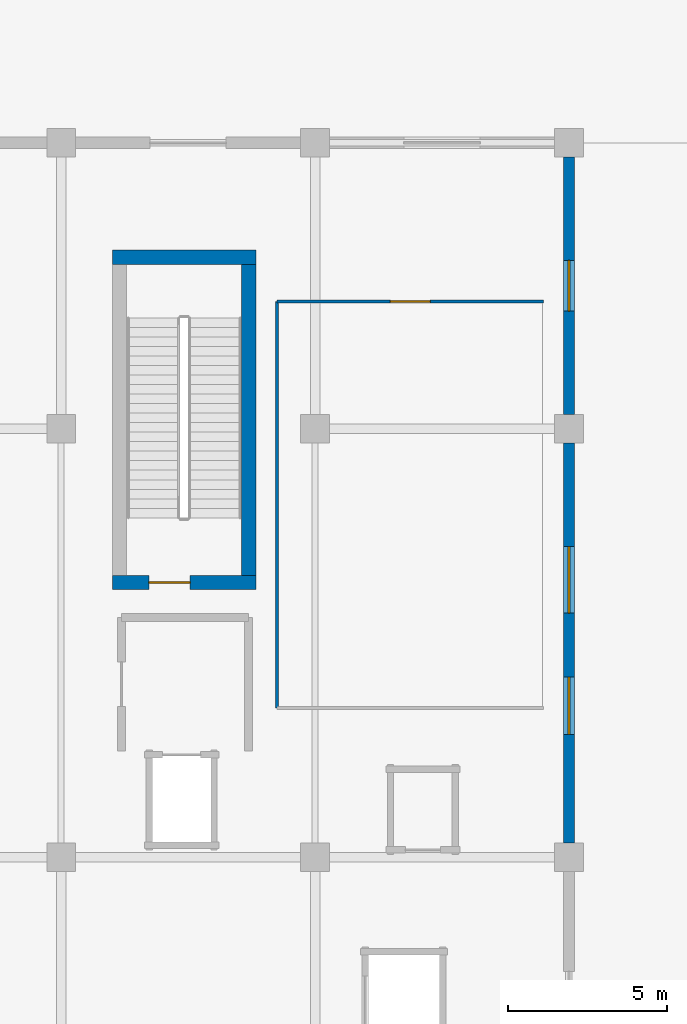
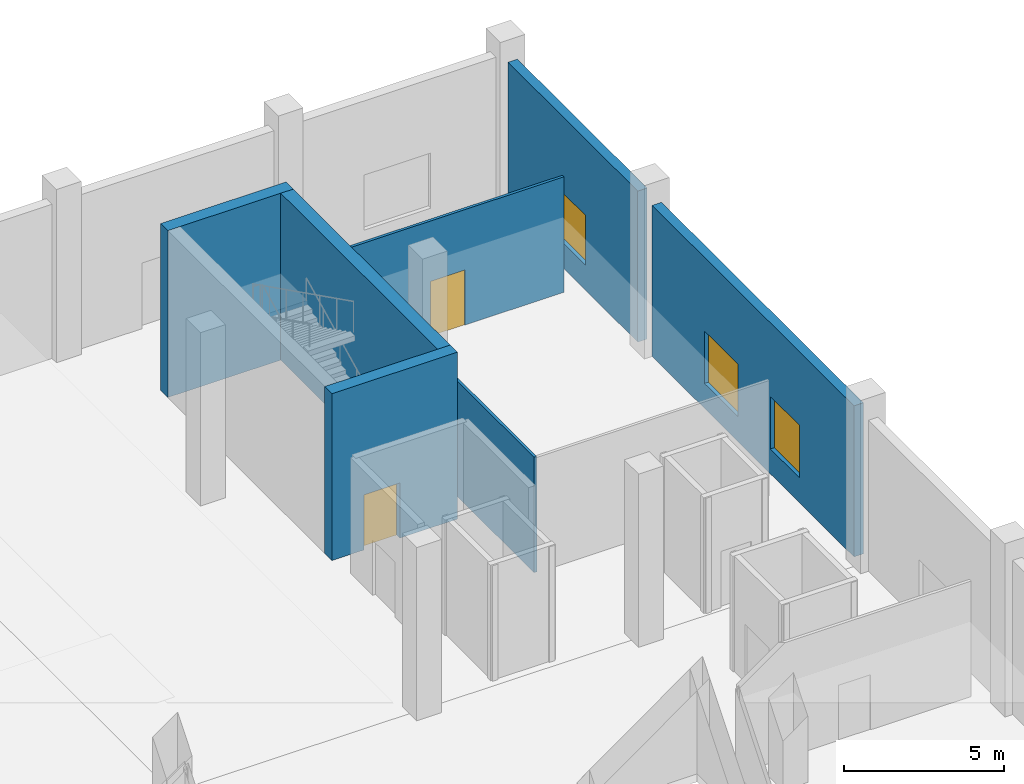
# One storey, part 27 of 65: 7 walls, 3 windows, 2 doors, 5 openings.
"""IFC4 building model written with IfcOpenShell, lengths in metres."""

from ifc_helpers import new_model, si_unit, direction, frame, frame_2d, origin, place, context, subcontext, project, spatial, rectangle, extrude, material, layer, layer_set, type_object, element, fill, save


model = new_model("IFC4")

# Units and contexts
model_context = context("Model", 3, precision=1e-05, world=origin(), true_north=direction((0.0, 1.0)))
body_context = subcontext(model_context, "Body", "Model", "MODEL_VIEW")
ifc_project = project(units=[si_unit("LENGTHUNIT", "METRE"), si_unit("AREAUNIT", "SQUARE_METRE"), si_unit("VOLUMEUNIT", "CUBIC_METRE"), si_unit("PLANEANGLEUNIT", "RADIAN"), si_unit("MASSUNIT", "GRAM", prefix="KILO")], contexts=[model_context])

# Site, building, storey
site_placement = place(None, origin())
site = spatial("IfcSite", under=ifc_project, at=site_placement, CompositionType="ELEMENT")
building_placement = place(site_placement, origin())
building = spatial("IfcBuilding", under=site, at=building_placement, Name="Chuanluo Vaults Station", CompositionType="ELEMENT")
storey_placement = place(building_placement, origin())
storey = spatial("IfcBuildingStorey", under=building, at=storey_placement, Name="L00", CompositionType="ELEMENT", Elevation=0.0)

# Walls
ifc_material_1 = material(Name="Concrete C50", Category="concrete")
ifc_layer_1 = layer(ifc_material_1, 0.449951171875)
ifc_layer_set_1 = layer_set([ifc_layer_1], Name="Concrete C50")
wall_type_1 = type_object("IfcWallType", Name="WL-COR-450", PredefinedType="SHEAR", material=ifc_layer_set_1)
wall_1_placement = place(storey_placement, frame((177.91259765625, 111.925048828125, 0.0), z_axis=(0.0, 0.0, 1.0), x_axis=(0.0, 1.0, 0.0)))
element("IfcWall", 1, at=wall_1_placement, inside=storey, type_object=wall_type_1, Name="Core K2 left shear wall", PredefinedType="SHEAR", context=body_context, shape_type="SweptSolid", body=[
    extrude(rectangle(XDim=10.697509765625, YDim=0.449951171875, at=frame_2d((5.3486328125, 0.0))), origin(), (0.0, 0.0, 1.0), 6.360107421875),
])
wall_2_placement = place(storey_placement, frame((178.137451171875, 122.3974609375, 0.0), z_axis=(0.0, 0.0, 1.0), x_axis=(-1.0, 0.0, 0.0)))
element("IfcWall", 2, at=wall_2_placement, inside=storey, type_object=wall_type_1, Name="Core K2 far shear wall", PredefinedType="SHEAR", context=body_context, shape_type="SweptSolid", body=[
    extrude(rectangle(XDim=4.52001953125, YDim=0.449951171875, at=frame_2d((2.260009765625, 0.0))), origin(), (0.0, 0.0, 1.0), 6.360107421875),
])

# Wall, opening, door
wall_3_placement = place(storey_placement, frame((173.617431640625, 112.14990234375, 0.0), z_axis=(0.0, 0.0, 1.0), x_axis=(1.0, 0.0, 0.0)))
wall_3 = element("IfcWall", 3, at=wall_3_placement, inside=storey, type_object=wall_type_1, Name="Core K2 near shear wall", PredefinedType="SHEAR", context=body_context, shape_type="SweptSolid", body=[
    extrude(rectangle(XDim=4.52001953125, YDim=0.449951171875, at=frame_2d((2.260009765625, 0.0))), origin(), (0.0, 0.0, 1.0), 6.360107421875),
])
opening_1_placement = place(wall_3_placement, frame((1.14990234375, 0.0, 0.0)))
opening_1 = element("IfcOpeningElement", 4, at=opening_1_placement, cuts=wall_3, Name="Opening FD-05", PredefinedType="OPENING", context=body_context, shape_type="SweptSolid", body=[
    extrude(rectangle(XDim=1.300048828125, YDim=2.10009765625, at=frame_2d((0.64990234375, 1.050048828125))), frame((0.0, 0.2351, 0.0), z_axis=(0.0, -1.0, 0.0), x_axis=(1.0, 0.0, 0.0)), (0.0, 0.0, 1.0), 0.46995),
])
ifc_material_2 = material(Name="Fire-rated steel leaf", Category="steel")
door_type_1 = type_object("IfcDoorType", Name="DR-FIR-1300x2100", OperationType="NOTDEFINED", PredefinedType="DOOR", material=ifc_material_2)
door_1_placement = place(opening_1_placement, origin())
door_1 = element("IfcDoor", 5, at=door_1_placement, inside=storey, type_object=door_type_1, Name="D-066 Stair ST-02 fire door", OperationType="SINGLE_SWING_LEFT", OverallHeight=2.10009765625, OverallWidth=1.300048828125, PredefinedType="DOOR", context=body_context, shape_type="SweptSolid", body=[
    extrude(rectangle(XDim=1.300048828125, YDim=2.10009765625, at=frame_2d((0.64990234375, 1.050048828125))), frame((0.0, 0.02490234375, 0.0), z_axis=(0.0, -1.0, 0.0), x_axis=(1.0, 0.0, 0.0)), (0.0, 0.0, 1.0), 0.050048828125),
])
fill(opening_1, door_1)

# Wall, openings, windows
ifc_material_3 = material(Name="Concrete C50", Category="concrete")
ifc_layer_2 = layer(ifc_material_3, 0.340087890625)
ifc_layer_set_2 = layer_set([ifc_layer_2], Name="Concrete C50")
wall_type_2 = type_object("IfcWallType", Name="WL-EXT-340", PredefinedType="SOLIDWALL", material=ifc_layer_set_2)
wall_4_placement = place(storey_placement, frame((188.0, 116.550048828125, 0.0), z_axis=(0.0, 0.0, 1.0), x_axis=(0.0, -1.0, 0.0)))
wall_4 = element("IfcWall", 6, at=wall_4_placement, inside=storey, type_object=wall_type_2, Name="East streetwall 10", PredefinedType="SOLIDWALL", context=body_context, shape_type="SweptSolid", body=[
    extrude(rectangle(XDim=12.60009765625, YDim=0.340087890625, at=frame_2d((6.300048828125, 0.0))), origin(), (0.0, 0.0, 1.0), 5.7548828125),
])
opening_2_placement = place(wall_4_placement, frame((3.2666015625, 0.0, 0.949951171875)))
opening_2 = element("IfcOpeningElement", 7, at=opening_2_placement, cuts=wall_4, Name="Opening W-19", PredefinedType="OPENING", context=body_context, shape_type="SweptSolid", body=[
    extrude(rectangle(XDim=2.10009765625, YDim=2.0, at=frame_2d((1.050048828125, 1.0))), frame((0.0, 0.17992, 0.0), z_axis=(0.0, -1.0, 0.0), x_axis=(1.0, 0.0, 0.0)), (0.0, 0.0, 1.0), 0.36009),
])
opening_3_placement = place(wall_4_placement, frame((7.38330078125, 0.0, 0.949951171875)))
opening_3 = element("IfcOpeningElement", 8, at=opening_3_placement, cuts=wall_4, Name="Opening W-20", PredefinedType="OPENING", context=body_context, shape_type="SweptSolid", body=[
    extrude(rectangle(XDim=1.800048828125, YDim=2.0, at=frame_2d((0.89990234375, 1.0))), frame((0.0, 0.17992, 0.0), z_axis=(0.0, -1.0, 0.0), x_axis=(1.0, 0.0, 0.0)), (0.0, 0.0, 1.0), 0.36009),
])
ifc_material_4 = material(Name="Double-silver Low-E laminated glass", Category="glass")
window_type_1 = type_object("IfcWindowType", Name="WN-RET-1800x2000", PartitioningType="SINGLE_PANEL", PredefinedType="WINDOW", material=ifc_material_4)
window_1_placement = place(opening_3_placement, origin())
window_1 = element("IfcWindow", 9, at=window_1_placement, inside=storey, type_object=window_type_1, Name="W-059 Ground streetwall window", OverallHeight=2.0, OverallWidth=1.800048828125, PartitioningType="SINGLE_PANEL", PredefinedType="WINDOW", context=body_context, shape_type="SweptSolid", body=[
    extrude(rectangle(XDim=1.800048828125, YDim=2.0, at=frame_2d((0.89990234375, 1.0))), frame((0.0, 0.030029296875, 0.0), z_axis=(0.0, -1.0, 0.0), x_axis=(1.0, 0.0, 0.0)), (0.0, 0.0, 1.0), 0.06005859375),
])
fill(opening_3, window_1)
ifc_material_5 = material(Name="Double-silver Low-E laminated glass", Category="glass")
window_type_2 = type_object("IfcWindowType", Name="WN-RET-2100x2000", PartitioningType="SINGLE_PANEL", PredefinedType="WINDOW", material=ifc_material_5)
window_2_placement = place(opening_2_placement, origin())
window_2 = element("IfcWindow", 10, at=window_2_placement, inside=storey, type_object=window_type_2, Name="W-058 Ground streetwall window", OverallHeight=2.0, OverallWidth=2.10009765625, PartitioningType="SINGLE_PANEL", PredefinedType="WINDOW", context=body_context, shape_type="SweptSolid", body=[
    extrude(rectangle(XDim=2.10009765625, YDim=2.0, at=frame_2d((1.050048828125, 1.0))), frame((0.0, 0.030029296875, 0.0), z_axis=(0.0, -1.0, 0.0), x_axis=(1.0, 0.0, 0.0)), (0.0, 0.0, 1.0), 0.06005859375),
])
fill(opening_2, window_2)

# Wall, opening, window
wall_5_placement = place(storey_placement, frame((188.0, 125.550048828125, 0.0), z_axis=(0.0, 0.0, 1.0), x_axis=(0.0, -1.0, 0.0)))
wall_5 = element("IfcWall", 11, at=wall_5_placement, inside=storey, type_object=wall_type_2, Name="East streetwall 11", PredefinedType="SOLIDWALL", context=body_context, shape_type="SweptSolid", body=[
    extrude(rectangle(XDim=8.10009765625, YDim=0.340087890625, at=frame_2d((4.050048828125, 0.0))), origin(), (0.0, 0.0, 1.0), 5.7548828125),
])
opening_4_placement = place(wall_5_placement, frame((3.25, 0.0, 0.949951171875)))
opening_4 = element("IfcOpeningElement", 12, at=opening_4_placement, cuts=wall_5, Name="Opening W-21", PredefinedType="OPENING", context=body_context, shape_type="SweptSolid", body=[
    extrude(rectangle(XDim=1.60009765625, YDim=1.89990234375, at=frame_2d((0.800048828125, 0.949951171875))), frame((0.0, 0.17992, 0.0), z_axis=(0.0, -1.0, 0.0), x_axis=(1.0, 0.0, 0.0)), (0.0, 0.0, 1.0), 0.36009),
])
ifc_material_6 = material(Name="Double-silver Low-E laminated glass", Category="glass")
window_type_3 = type_object("IfcWindowType", Name="WN-RET-1600x1900", PartitioningType="SINGLE_PANEL", PredefinedType="WINDOW", material=ifc_material_6)
window_3_placement = place(opening_4_placement, origin())
window_3 = element("IfcWindow", 13, at=window_3_placement, inside=storey, type_object=window_type_3, Name="W-060 Ground streetwall window", OverallHeight=1.89990234375, OverallWidth=1.60009765625, PartitioningType="SINGLE_PANEL", PredefinedType="WINDOW", context=body_context, shape_type="SweptSolid", body=[
    extrude(rectangle(XDim=1.60009765625, YDim=1.89990234375, at=frame_2d((0.800048828125, 0.949951171875))), frame((0.0, 0.030029296875, 0.0), z_axis=(0.0, -1.0, 0.0), x_axis=(1.0, 0.0, 0.0)), (0.0, 0.0, 1.0), 0.06005859375),
])
fill(opening_4, window_3)

# Wall, opening, door
ifc_material_7 = material(Name="Masonry blockwork M10", Category="masonry")
ifc_layer_3 = layer(ifc_material_7, 0.10009765625)
ifc_layer_set_3 = layer_set([ifc_layer_3], Name="Masonry blockwork M10")
wall_type_3 = type_object("IfcWallType", Name="WL-PRT-100", PredefinedType="PARTITIONING", material=ifc_layer_set_3)
wall_6_placement = place(storey_placement, frame((178.800048828125, 121.0, 0.0), z_axis=(0.0, 0.0, 1.0), x_axis=(1.0, 0.0, 0.0)))
wall_6 = element("IfcWall", 14, at=wall_6_placement, inside=storey, type_object=wall_type_3, Name="L00-32 North-East Parcel Claim Office N partition", PredefinedType="PARTITIONING", context=body_context, shape_type="SweptSolid", body=[
    extrude(rectangle(XDim=8.39990234375, YDim=0.10009765625, at=frame_2d((4.199951171875, 0.0))), origin(), (0.0, 0.0, 1.0), 4.39990234375),
])
opening_5_placement = place(wall_6_placement, frame((3.574951171875, 0.0, 0.0)))
opening_5 = element("IfcOpeningElement", 15, at=opening_5_placement, cuts=wall_6, Name="Opening D-I05", PredefinedType="OPENING", context=body_context, shape_type="SweptSolid", body=[
    extrude(rectangle(XDim=1.25, YDim=2.10009765625, at=frame_2d((0.625, 1.050048828125))), frame((0.0, 0.06005, 0.0), z_axis=(0.0, -1.0, 0.0), x_axis=(1.0, 0.0, 0.0)), (0.0, 0.0, 1.0), 0.1201),
])
ifc_material_8 = material(Name="Anodised aluminium 6063-T6", Category="aluminium")
door_type_2 = type_object("IfcDoorType", Name="DR-INT-1250x2100", OperationType="NOTDEFINED", PredefinedType="DOOR", material=ifc_material_8)
door_2_placement = place(opening_5_placement, origin())
door_2 = element("IfcDoor", 16, at=door_2_placement, inside=storey, type_object=door_type_2, Name="D-177 North-East Parcel Claim Office door", OperationType="SINGLE_SWING_RIGHT", OverallHeight=2.10009765625, OverallWidth=1.25, PredefinedType="DOOR", context=body_context, shape_type="SweptSolid", body=[
    extrude(rectangle(XDim=1.25, YDim=2.10009765625, at=frame_2d((0.625, 1.050048828125))), frame((0.0, 0.02490234375, 0.0), z_axis=(0.0, -1.0, 0.0), x_axis=(1.0, 0.0, 0.0)), (0.0, 0.0, 1.0), 0.050048828125),
])
fill(opening_5, door_2)

# Wall
wall_7_placement = place(storey_placement, frame((178.800048828125, 108.199951171875, 0.0), z_axis=(0.0, 0.0, 1.0), x_axis=(0.0, 1.0, 0.0)))
element("IfcWall", 17, at=wall_7_placement, inside=storey, type_object=wall_type_3, Name="L00-32 North-East Parcel Claim Office W partition", PredefinedType="PARTITIONING", context=body_context, shape_type="SweptSolid", body=[
    extrude(rectangle(XDim=12.800048828125, YDim=0.10009765625, at=frame_2d((6.39990234375, 0.0))), origin(), (0.0, 0.0, 1.0), 4.39990234375),
])

save(model, "model.ifc")
